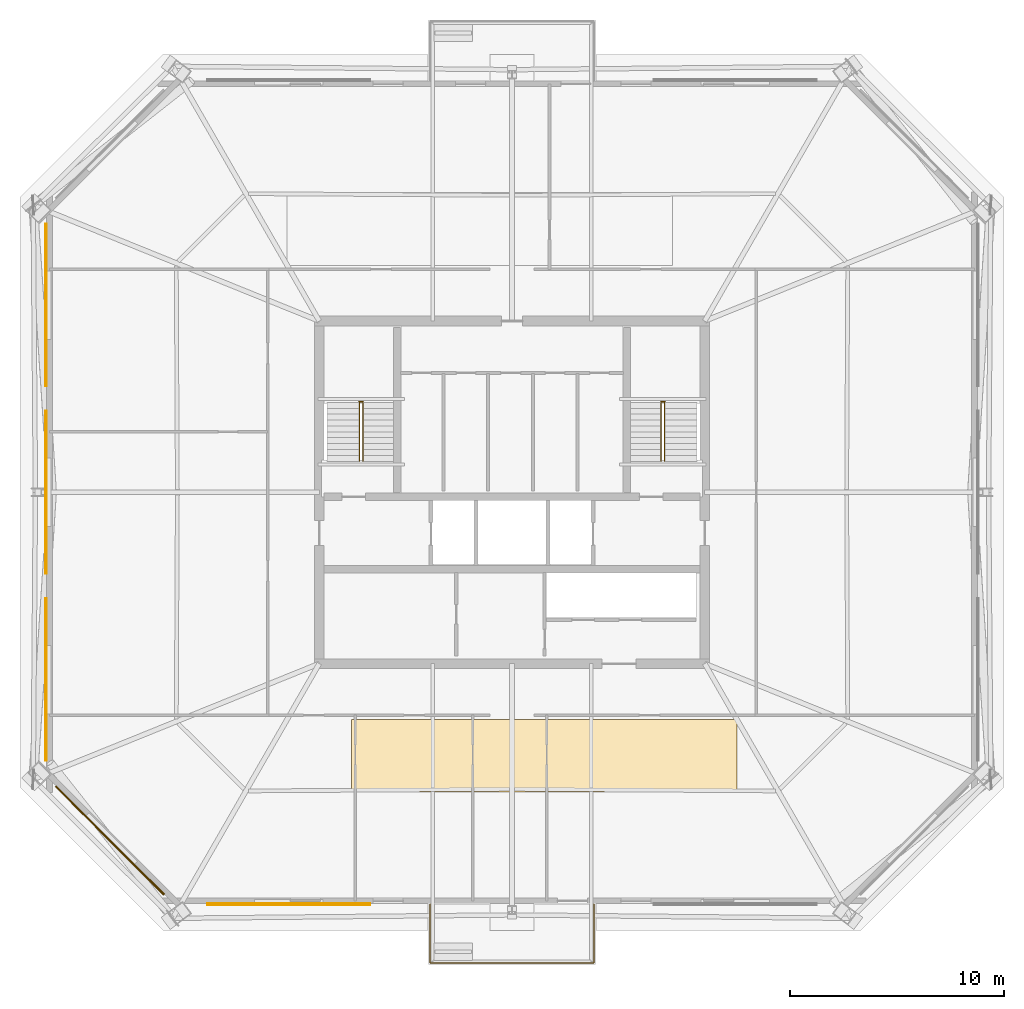
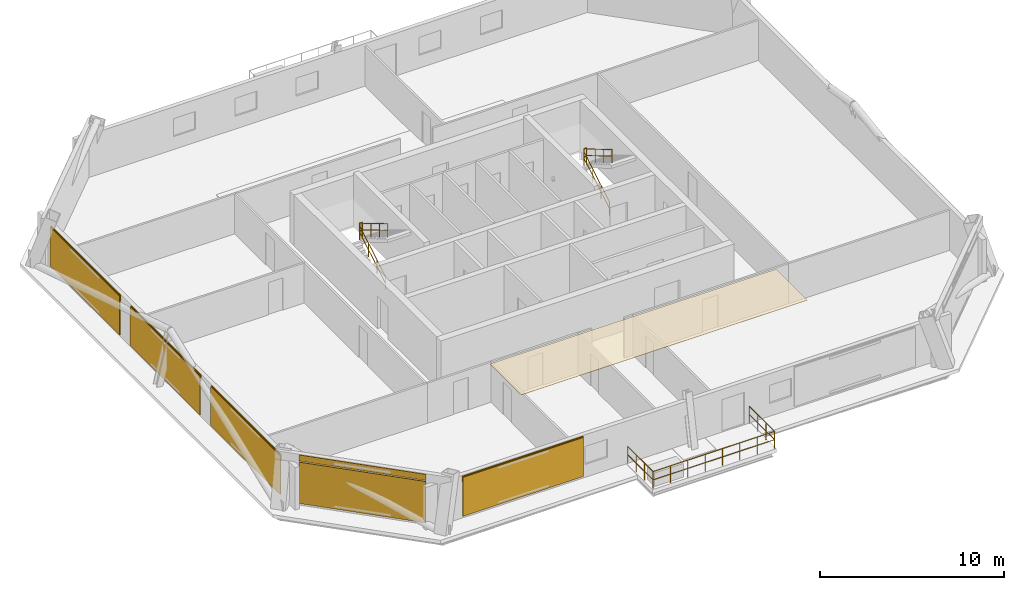
# One storey, part 5 of 6: 7 railings, 6 coverings, 5 shading devices.
"""IFC4 building model written with IfcOpenShell, lengths in metres."""

from ifc_helpers import new_model, si_unit, direction, frame, origin, origin_2d, place, context, subcontext, project, spatial, polyline, rectangle, circle, outline, extrude, material, layer, layer_set, type_object, element, save


model = new_model("IFC4")

# Units and contexts
model_context = context("Model", 3, precision=1e-05, world=origin(), true_north=direction((0.0, 1.0)))
body_context = subcontext(model_context, "Body", "Model", "MODEL_VIEW")
ifc_project = project(units=[si_unit("LENGTHUNIT", "METRE"), si_unit("AREAUNIT", "SQUARE_METRE"), si_unit("VOLUMEUNIT", "CUBIC_METRE"), si_unit("PLANEANGLEUNIT", "RADIAN"), si_unit("MASSUNIT", "GRAM", prefix="KILO")], contexts=[model_context])

# Site, building, storey
site_placement = place(None, origin())
site = spatial("IfcSite", under=ifc_project, at=site_placement, CompositionType="ELEMENT")
building_placement = place(site_placement, origin())
building = spatial("IfcBuilding", under=site, at=building_placement, Name="Caelvoria Tower", CompositionType="ELEMENT")
storey_placement = place(building_placement, frame((0.0, 0.0, 195.0)))
storey = spatial("IfcBuildingStorey", under=building, at=storey_placement, Name="L51", CompositionType="ELEMENT", Elevation=195.0)

# Railing
ifc_material_1 = material(Name="Bronze Anodised Aluminium and Stainless Steel", Category="steel")
railing_type_1 = type_object("IfcRailingType", Name="Exterior Terrace and Balcony Guardrail 1150", PredefinedType="GUARDRAIL", material=ifc_material_1)
railing_1_placement = place(storey_placement, frame((42.179931640625, 12.780029296875, 0.0)))
element("IfcRailing", 1, at=railing_1_placement, inside=storey, type_object=railing_type_1, Name="Tree Balcony Guardrail TB-L51-S", PredefinedType="GUARDRAIL", context=body_context, shape_type="SweptSolid", body=[
    extrude(circle(Radius=0.02392578125, at=origin_2d()), frame((0.0, 0.0, 1.1259765625), z_axis=(0.0, -1.0, 0.0), x_axis=(1.0, 0.0, 0.0)), (0.0, 0.0, 1.0), 2.760009765625),
    extrude(circle(Radius=0.02392578125, at=origin_2d()), frame((0.0, 0.0, 0.574951171875), z_axis=(0.0, -1.0, 0.0), x_axis=(1.0, 0.0, 0.0)), (0.0, 0.0, 1.0), 2.760009765625),
    extrude(circle(Radius=0.02392578125, at=origin_2d()), frame((0.0, -2.760009765625, 1.1259765625), z_axis=(1.0, 0.0, 0.0), x_axis=(0.0, 1.0, 0.0)), (0.0, 0.0, 1.0), 7.64013671875),
    extrude(circle(Radius=0.02392578125, at=origin_2d()), frame((0.0, -2.760009765625, 0.574951171875), z_axis=(1.0, 0.0, 0.0), x_axis=(0.0, 1.0, 0.0)), (0.0, 0.0, 1.0), 7.64013671875),
    extrude(circle(Radius=0.02392578125, at=origin_2d()), frame((7.64013671875, -2.760009765625, 1.1259765625), z_axis=(0.0, 1.0, 0.0), x_axis=(-1.0, 0.0, 0.0)), (0.0, 0.0, 1.0), 2.760009765625),
    extrude(circle(Radius=0.02392578125, at=origin_2d()), frame((7.64013671875, -2.760009765625, 0.574951171875), z_axis=(0.0, 1.0, 0.0), x_axis=(-1.0, 0.0, 0.0)), (0.0, 0.0, 1.0), 2.760009765625),
    extrude(circle(Radius=0.02099609375, at=origin_2d()), origin(), (0.0, 0.0, 1.0), 1.101806640625),
    extrude(circle(Radius=0.02099609375, at=origin_2d()), frame((0.0, -0.919921875, 0.0)), (0.0, 0.0, 1.0), 1.101806640625),
    extrude(circle(Radius=0.02099609375, at=origin_2d()), frame((0.0, -1.840087890625, 0.0)), (0.0, 0.0, 1.0), 1.101806640625),
    extrude(circle(Radius=0.02099609375, at=origin_2d()), frame((0.0, -2.760009765625, 0.0)), (0.0, 0.0, 1.0), 1.101806640625),
    extrude(circle(Radius=0.02099609375, at=origin_2d()), frame((1.091552734375, -2.760009765625, 0.0)), (0.0, 0.0, 1.0), 1.101806640625),
    extrude(circle(Radius=0.02099609375, at=origin_2d()), frame((2.182861328125, -2.760009765625, 0.0)), (0.0, 0.0, 1.0), 1.101806640625),
    extrude(circle(Radius=0.02099609375, at=origin_2d()), frame((3.2744140625, -2.760009765625, 0.0)), (0.0, 0.0, 1.0), 1.101806640625),
    extrude(circle(Radius=0.02099609375, at=origin_2d()), frame((4.36572265625, -2.760009765625, 0.0)), (0.0, 0.0, 1.0), 1.101806640625),
    extrude(circle(Radius=0.02099609375, at=origin_2d()), frame((5.457275390625, -2.760009765625, 0.0)), (0.0, 0.0, 1.0), 1.101806640625),
    extrude(circle(Radius=0.02099609375, at=origin_2d()), frame((6.548583984375, -2.760009765625, 0.0)), (0.0, 0.0, 1.0), 1.101806640625),
    extrude(circle(Radius=0.02099609375, at=origin_2d()), frame((7.64013671875, -2.760009765625, 0.0)), (0.0, 0.0, 1.0), 1.101806640625),
    extrude(circle(Radius=0.02099609375, at=origin_2d()), frame((7.64013671875, -1.840087890625, 0.0)), (0.0, 0.0, 1.0), 1.101806640625),
    extrude(circle(Radius=0.02099609375, at=origin_2d()), frame((7.64013671875, -0.919921875, 0.0)), (0.0, 0.0, 1.0), 1.101806640625),
    extrude(circle(Radius=0.02099609375, at=origin_2d()), frame((7.64013671875, 0.0, 0.0)), (0.0, 0.0, 1.0), 1.101806640625),
])

# Coverings
ifc_material_2 = material(Name="Acoustic Mineral Fibre Tile", Category="gypsum")
ifc_layer_1 = layer(ifc_material_2, 0.02490234375, Name="Acoustic Mineral Fibre Tile")
ifc_layer_set_1 = layer_set([ifc_layer_1], Name="Mineral-Fibre Acoustic Suspended Ceiling 25 - Acoustic Mineral Fibre Tile")
covering_type_1 = type_object("IfcCoveringType", Name="Mineral-Fibre Acoustic Suspended Ceiling 25", PredefinedType="CEILING", material=ifc_layer_set_1)
covering_1_placement = place(storey_placement, frame((0.0, 0.0, 2.64990234375)))
element("IfcCovering", 2, at=covering_1_placement, inside=storey, type_object=covering_type_1, Name="Suspended Acoustic Ceiling L51", PredefinedType="CEILING", context=body_context, shape_type="SweptSolid", body=[
    extrude(outline(polyline([(38.5, 18.0), (56.5, 18.0), (56.5, 21.39990234375), (38.5, 21.39990234375), (38.5, 18.0)])), origin(), (0.0, 0.0, 1.0), 0.025146484375),
])
ifc_material_3 = material(Name="Perforated Architectural Bronze Cladding Screen", Category="bronze")
ifc_layer_2 = layer(ifc_material_3, 0.0400390625, Name="Perforated Architectural Bronze Cladding Screen")
ifc_layer_set_2 = layer_set([ifc_layer_2], Name="Perforated Bronze Louvre Cladding Band 40 - Perforated Architectural Bronze Cladding Screen")
covering_type_2 = type_object("IfcCoveringType", Name="Perforated Bronze Louvre Cladding Band 40", PredefinedType="CLADDING", material=ifc_layer_set_2)
for number, where, z_axis, x_axis, name in (
    (3, (35.5732421875, 12.775390625, 2.412109375), (0.0, 0.0, 1.0), (1.0, 0.0, 0.0), "Perforated Bronze Screen Band L51-E0-00"),
    (4, (24.255615234375, 40.74658203125, 2.412109375), (0.0, 0.0, 1.0), (0.0, -1.0, 0.0), "Perforated Bronze Screen Band L51-E6-00"),
    (5, (24.255615234375, 32.0, 2.412109375), (0.0, 0.0, 1.0), (0.0, -1.0, 0.0), "Perforated Bronze Screen Band L51-E6-01"),
    (6, (24.255615234375, 23.25341796875, 2.412109375), (0.0, 0.0, 1.0), (0.0, -1.0, 0.0), "Perforated Bronze Screen Band L51-E6-02"),
):
    element("IfcCovering", number, at=place(storey_placement, frame(where, z_axis=z_axis, x_axis=x_axis)), inside=storey, type_object=covering_type_2, Name=name, PredefinedType="CLADDING", context=body_context, shape_type="SweptSolid", body=[
        extrude(rectangle(XDim=7.60009765625, YDim=0.0400390625, at=origin_2d()), origin(), (0.0, 0.0, 1.0), 0.39990234375),
    ])
covering_2_placement = place(storey_placement, frame((27.233642578125, 15.753662109375, 2.955078125), z_axis=(0.0, 0.0, 1.0), x_axis=(0.707106781187, -0.707106781187, 0.0)))
element("IfcCovering", 7, at=covering_2_placement, inside=storey, type_object=covering_type_2, Name="Perforated Bronze Screen Band L51-E7-00", PredefinedType="CLADDING", context=body_context, shape_type="SweptSolid", body=[
    extrude(rectangle(XDim=7.151611328125, YDim=0.0400390625, at=origin_2d()), origin(), (0.0, 0.0, 1.0), 0.39990234375),
])

# Shading devices
ifc_material_4 = material(Name="Perforated Architectural Bronze Alloy Panel", Category="bronze")
ifc_layer_3 = layer(ifc_material_4, 0.044921875, Name="Perforated Architectural Bronze Alloy Panel")
ifc_layer_set_3 = layer_set([ifc_layer_3], Name="Perforated Bronze Solar Screen Panel SCREEN - Perforated Architectural Bronze Alloy Panel")
shading_device_type = type_object("IfcShadingDeviceType", Name="Perforated Bronze Solar Screen Panel SCREEN", PredefinedType="USERDEFINED", material=ifc_layer_set_3)
for number, where, z_axis, x_axis, name in (
    (8, (35.5732421875, 12.732421875, 0.16015625), (0.0, 0.0, 1.0), (1.0, 0.0, 0.0), "Perforated Bronze Solar Screen L51-E0-00"),
    (9, (24.21240234375, 40.74658203125, 0.16015625), (0.0, 0.0, 1.0), (0.0, -1.0, 0.0), "Perforated Bronze Solar Screen L51-E6-00"),
    (10, (24.21240234375, 32.0, 0.16015625), (0.0, 0.0, 1.0), (0.0, -1.0, 0.0), "Perforated Bronze Solar Screen L51-E6-01"),
    (11, (24.21240234375, 23.25341796875, 0.16015625), (0.0, 0.0, 1.0), (0.0, -1.0, 0.0), "Perforated Bronze Solar Screen L51-E6-02"),
):
    element("IfcShadingDevice", number, at=place(storey_placement, frame(where, z_axis=z_axis, x_axis=x_axis)), inside=storey, type_object=shading_device_type, Name=name, ObjectType="SCREEN", PredefinedType="USERDEFINED", context=body_context, shape_type="SweptSolid", body=[
        extrude(rectangle(XDim=7.60009765625, YDim=0.044921875, at=origin_2d()), origin(), (0.0, 0.0, 1.0), 2.592041015625),
    ])
shading_device_placement = place(storey_placement, frame((27.203125, 15.72314453125, 0.159912109375), z_axis=(0.0, 0.0, 1.0), x_axis=(0.707106781187, -0.707106781187, 0.0)))
element("IfcShadingDevice", 12, at=shading_device_placement, inside=storey, type_object=shading_device_type, Name="Perforated Bronze Solar Screen L51-E7-00", ObjectType="SCREEN", PredefinedType="USERDEFINED", context=body_context, shape_type="SweptSolid", body=[
    extrude(rectangle(XDim=7.151611328125, YDim=0.044921875, at=origin_2d()), origin(), (0.0, 0.0, 1.0), 2.75),
])

# Railings
ifc_material_5 = material(Name="Brushed Stainless Steel Tube", Category="steel")
railing_type_2 = type_object("IfcRailingType", Name="Stair Tubular Stainless Handrail 920", PredefinedType="HANDRAIL", material=ifc_material_5)
railing_2_placement = place(storey_placement, frame((38.8701171875, 33.449951171875, 0.16357421875)))
element("IfcRailing", 13, at=railing_2_placement, inside=storey, type_object=railing_type_2, Name="ST-01 Flight 1 Handrail L51", PredefinedType="HANDRAIL", context=body_context, shape_type="SweptSolid", body=[
    extrude(circle(Radius=0.02392578125, at=origin_2d()), frame((0.0, 0.0, 0.89599609375), z_axis=(0.0, 0.859351957796, 0.511384603436), x_axis=(-1.0, 0.0, 0.0)), (0.0, 0.0, 1.0), 3.2001953125),
    extrude(circle(Radius=0.02392578125, at=origin_2d()), frame((0.0, 0.0, 0.4599609375), z_axis=(0.0, 0.859351957796, 0.511384603436), x_axis=(-1.0, 0.0, 0.0)), (0.0, 0.0, 1.0), 3.2001953125),
    extrude(circle(Radius=0.02099609375, at=origin_2d()), origin(), (0.0, 0.0, 1.0), 0.871826171875),
    extrude(circle(Radius=0.02099609375, at=origin_2d()), frame((0.0, 0.916748046875, 0.54541015625)), (0.0, 0.0, 1.0), 0.871826171875),
    extrude(circle(Radius=0.02099609375, at=origin_2d()), frame((0.0, 1.833251953125, 1.091064453125)), (0.0, 0.0, 1.0), 0.871826171875),
    extrude(circle(Radius=0.02099609375, at=origin_2d()), frame((0.0, 2.75, 1.636474609375)), (0.0, 0.0, 1.0), 0.871826171875),
])
railing_3_placement = place(storey_placement, frame((39.030029296875, 36.199951171875, 1.963623046875)))
element("IfcRailing", 14, at=railing_3_placement, inside=storey, type_object=railing_type_2, Name="ST-01 Flight 2 Handrail L51", PredefinedType="HANDRAIL", context=body_context, shape_type="SweptSolid", body=[
    extrude(circle(Radius=0.02392578125, at=origin_2d()), frame((0.0, 0.0, 0.89599609375), z_axis=(0.0, -0.859351957796, 0.511384603436), x_axis=(1.0, 0.0, 0.0)), (0.0, 0.0, 1.0), 3.2001953125),
    extrude(circle(Radius=0.02392578125, at=origin_2d()), frame((0.0, 0.0, 0.4599609375), z_axis=(0.0, -0.859351957796, 0.511384603436), x_axis=(1.0, 0.0, 0.0)), (0.0, 0.0, 1.0), 3.2001953125),
    extrude(circle(Radius=0.02099609375, at=origin_2d()), origin(), (0.0, 0.0, 1.0), 0.871826171875),
    extrude(circle(Radius=0.02099609375, at=origin_2d()), frame((0.0, -0.916748046875, 0.54541015625)), (0.0, 0.0, 1.0), 0.871826171875),
    extrude(circle(Radius=0.02099609375, at=origin_2d()), frame((0.0, -1.833251953125, 1.091064453125)), (0.0, 0.0, 1.0), 0.871826171875),
    extrude(circle(Radius=0.02099609375, at=origin_2d()), frame((0.0, -2.75, 1.636474609375)), (0.0, 0.0, 1.0), 0.871826171875),
])
railing_4_placement = place(storey_placement, frame((52.969970703125, 33.449951171875, 0.16357421875)))
element("IfcRailing", 15, at=railing_4_placement, inside=storey, type_object=railing_type_2, Name="ST-02 Flight 1 Handrail L51", PredefinedType="HANDRAIL", context=body_context, shape_type="SweptSolid", body=[
    extrude(circle(Radius=0.02392578125, at=origin_2d()), frame((0.0, 0.0, 0.89599609375), z_axis=(0.0, 0.859351957796, 0.511384603436), x_axis=(-1.0, 0.0, 0.0)), (0.0, 0.0, 1.0), 3.2001953125),
    extrude(circle(Radius=0.02392578125, at=origin_2d()), frame((0.0, 0.0, 0.4599609375), z_axis=(0.0, 0.859351957796, 0.511384603436), x_axis=(-1.0, 0.0, 0.0)), (0.0, 0.0, 1.0), 3.2001953125),
    extrude(circle(Radius=0.02099609375, at=origin_2d()), origin(), (0.0, 0.0, 1.0), 0.871826171875),
    extrude(circle(Radius=0.02099609375, at=origin_2d()), frame((0.0, 0.916748046875, 0.54541015625)), (0.0, 0.0, 1.0), 0.871826171875),
    extrude(circle(Radius=0.02099609375, at=origin_2d()), frame((0.0, 1.833251953125, 1.091064453125)), (0.0, 0.0, 1.0), 0.871826171875),
    extrude(circle(Radius=0.02099609375, at=origin_2d()), frame((0.0, 2.75, 1.636474609375)), (0.0, 0.0, 1.0), 0.871826171875),
])
railing_5_placement = place(storey_placement, frame((53.1298828125, 36.199951171875, 1.963623046875)))
element("IfcRailing", 16, at=railing_5_placement, inside=storey, type_object=railing_type_2, Name="ST-02 Flight 2 Handrail L51", PredefinedType="HANDRAIL", context=body_context, shape_type="SweptSolid", body=[
    extrude(circle(Radius=0.02392578125, at=origin_2d()), frame((0.0, 0.0, 0.89599609375), z_axis=(0.0, -0.859351957796, 0.511384603436), x_axis=(1.0, 0.0, 0.0)), (0.0, 0.0, 1.0), 3.2001953125),
    extrude(circle(Radius=0.02392578125, at=origin_2d()), frame((0.0, 0.0, 0.4599609375), z_axis=(0.0, -0.859351957796, 0.511384603436), x_axis=(1.0, 0.0, 0.0)), (0.0, 0.0, 1.0), 3.2001953125),
    extrude(circle(Radius=0.02099609375, at=origin_2d()), origin(), (0.0, 0.0, 1.0), 0.871826171875),
    extrude(circle(Radius=0.02099609375, at=origin_2d()), frame((0.0, -0.916748046875, 0.54541015625)), (0.0, 0.0, 1.0), 0.871826171875),
    extrude(circle(Radius=0.02099609375, at=origin_2d()), frame((0.0, -1.833251953125, 1.091064453125)), (0.0, 0.0, 1.0), 0.871826171875),
    extrude(circle(Radius=0.02099609375, at=origin_2d()), frame((0.0, -2.75, 1.636474609375)), (0.0, 0.0, 1.0), 0.871826171875),
])
ifc_material_6 = material(Name="Brushed Stainless Steel Guardrail", Category="steel")
railing_type_3 = type_object("IfcRailingType", Name="Stair Well and Ramp Guardrail 1120", PredefinedType="GUARDRAIL", material=ifc_material_6)
for number, where, name in (
    (17, (38.8701171875, 36.239990234375, 1.800048828125), "ST-01 Half-Landing Well Guard L51"),
    (18, (52.969970703125, 36.239990234375, 1.800048828125), "ST-02 Half-Landing Well Guard L51"),
):
    element("IfcRailing", number, at=place(storey_placement, frame(where)), inside=storey, type_object=railing_type_3, Name=name, PredefinedType="GUARDRAIL", context=body_context, shape_type="SweptSolid", body=[
        extrude(circle(Radius=0.02392578125, at=origin_2d()), frame((0.0, 0.0, 1.09619140625), z_axis=(1.0, 0.0, 0.0), x_axis=(0.0, 1.0, 0.0)), (0.0, 0.0, 1.0), 0.159912109375),
        extrude(circle(Radius=0.02392578125, at=origin_2d()), frame((0.0, 0.0, 0.56005859375), z_axis=(1.0, 0.0, 0.0), x_axis=(0.0, 1.0, 0.0)), (0.0, 0.0, 1.0), 0.159912109375),
        extrude(circle(Radius=0.02099609375, at=origin_2d()), origin(), (0.0, 0.0, 1.0), 1.072021484375),
        extrude(circle(Radius=0.02099609375, at=origin_2d()), frame((0.159912109375, 0.0, 0.0)), (0.0, 0.0, 1.0), 1.072021484375),
    ])

save(model, "model.ifc")
